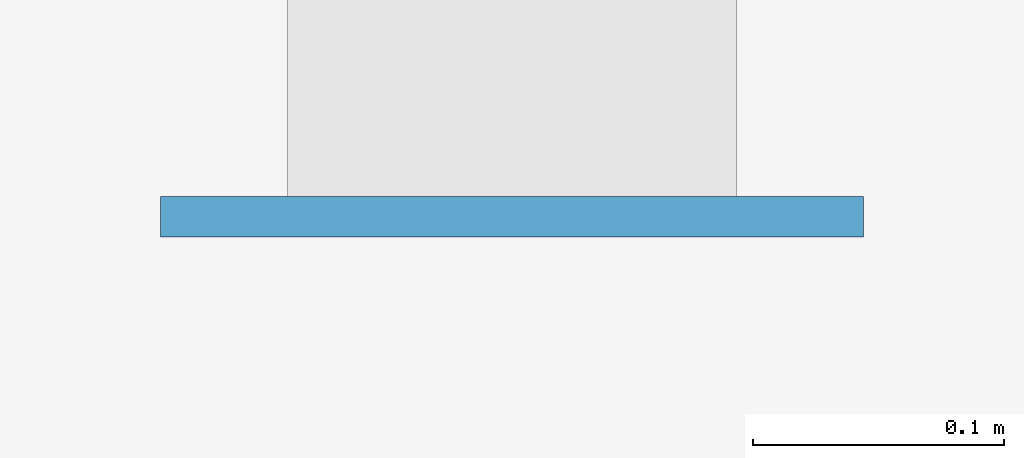
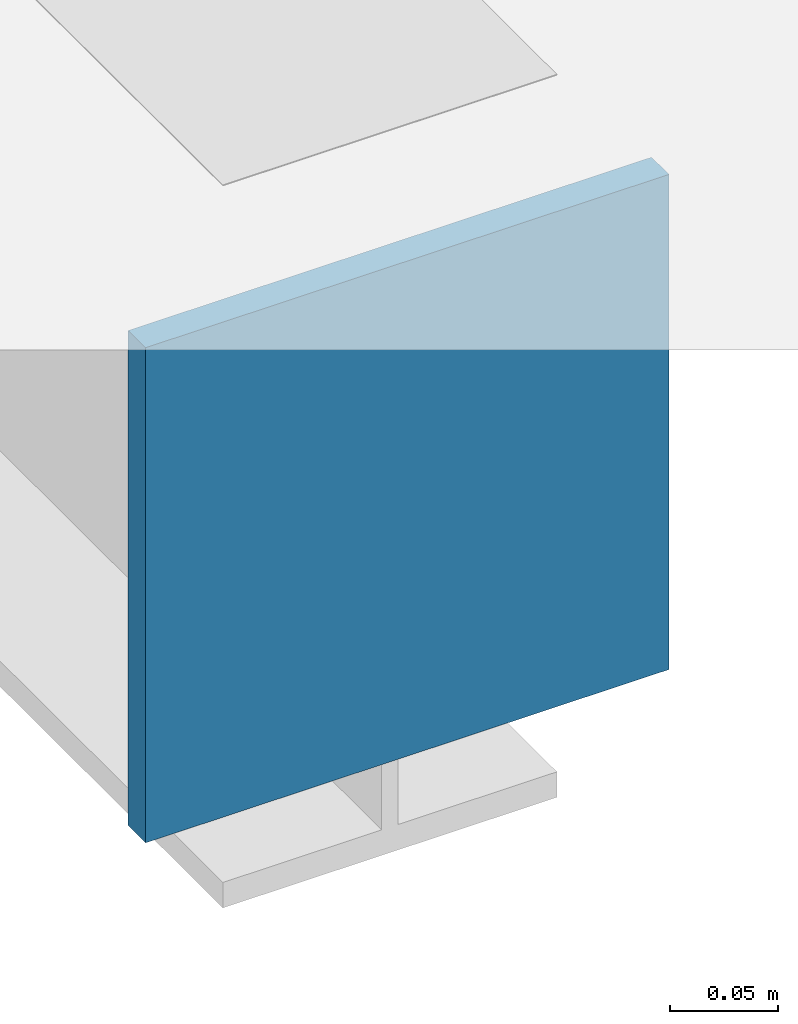
# One storey, part 4 of 6: 1 plate.
"""IFC4 building model written with IfcOpenShell, lengths in metres."""

import ifcopenshell
import ifcopenshell.guid

model = None  # the IFC model being written
_history = None  # IfcOwnerHistory: only IFC2X3 demands one
_inside = {}  # id of a spatial element -> (the spatial element, [elements in it])
_under = {}  # id of a project, library or spatial element -> (it, [spatial elements below it])
_declared = {}  # id of a project -> (the project, [libraries it declares])
_typed = {}  # id of a type object -> (the type object, [elements of that type])
_made_of = {}  # id of a material, layer set ... -> (it, [elements and type objects made of it])


def new_model(schema):
    """Start an empty IFC model of exactly this schema.

    Asked for "IFC4X3", IfcOpenShell would pick the latest addendum, in which some entities
    have other attributes; the version numbers below select the first issue.
    IFC2X3 requires an IfcOwnerHistory on every rooted entity: one is made here for all.
    """
    global model, _history
    if schema == "IFC4X3":
        model = ifcopenshell.file(schema_version=(4, 3, 0, 0))
    else:
        model = ifcopenshell.file(schema=schema)
    _inside.clear()
    _under.clear()
    _declared.clear()
    _typed.clear()
    _made_of.clear()
    _history = None
    if model.schema == "IFC2X3":
        org = make("IfcOrganization", Name="unknown")
        user = make(
            "IfcPersonAndOrganization",
            ThePerson=make("IfcPerson", FamilyName="unknown"),
            TheOrganization=org,
        )
        app = make(
            "IfcApplication",
            ApplicationDeveloper=org,
            Version="unknown",
            ApplicationFullName="unknown",
            ApplicationIdentifier="unknown",
        )
        _history = make(
            "IfcOwnerHistory",
            OwningUser=user,
            OwningApplication=app,
            ChangeAction="ADDED",
            CreationDate=0,
        )
    return model


def make(cls, **values):
    """One entity of the class cls with the attributes given. An attribute that is None is left unset."""
    return model.create_entity(
        cls, **{name: value for name, value in values.items() if value is not None}
    )


def rooted(cls, **values):
    """An entity with a GlobalId (a new one), such as an element, a storey or a relation."""
    return make(cls, GlobalId=ifcopenshell.guid.new(), OwnerHistory=_history, **values)


def si_unit(unit_type, name, prefix=None):
    """IfcSIUnit, for example si_unit("LENGTHUNIT", "METRE", prefix="MILLI")."""
    return make("IfcSIUnit", UnitType=unit_type, Prefix=prefix, Name=name)


def assignment(units):
    """IfcUnitAssignment: the units of a project."""
    return None if units is None else make("IfcUnitAssignment", Units=units)


def point(xyz):
    """IfcCartesianPoint."""
    return None if xyz is None else make("IfcCartesianPoint", Coordinates=xyz)


def direction(xyz):
    """IfcDirection."""
    return None if xyz is None else make("IfcDirection", DirectionRatios=xyz)


def frame(location, z_axis=None, x_axis=None):
    """IfcAxis2Placement3D, a coordinate frame: its origin and axes. An axis left out is left unset."""
    return make(
        "IfcAxis2Placement3D",
        Location=point(location),
        Axis=direction(z_axis),
        RefDirection=direction(x_axis),
    )


def frame_2d(location, x_axis=None):
    """IfcAxis2Placement2D, a coordinate frame in the plane: its origin and x axis."""
    return make(
        "IfcAxis2Placement2D", Location=point(location), RefDirection=direction(x_axis)
    )


def origin():
    """The frame at (0, 0, 0) with its axes left unset."""
    return frame((0.0, 0.0, 0.0))


def origin_2d():
    """The frame at (0, 0) in the plane with its x axis left unset."""
    return frame_2d((0.0, 0.0))


def place(relative_to, where):
    """IfcLocalPlacement: puts the frame where relative to a parent placement (None: the world)."""
    return make(
        "IfcLocalPlacement", PlacementRelTo=relative_to, RelativePlacement=where
    )


def context(
    kind, dimensions, precision=None, world=None, true_north=None, identifier=None
):
    """IfcGeometricRepresentationContext, for example the 3D "Model" context."""
    return make(
        "IfcGeometricRepresentationContext",
        ContextIdentifier=identifier,
        ContextType=kind,
        CoordinateSpaceDimension=dimensions,
        Precision=precision,
        WorldCoordinateSystem=world,
        TrueNorth=true_north,
    )


def subcontext(parent, identifier, kind, view, scale=None):
    """IfcGeometricRepresentationSubContext, for example "Body" below "Model"."""
    return make(
        "IfcGeometricRepresentationSubContext",
        ContextIdentifier=identifier,
        ContextType=kind,
        ParentContext=parent,
        TargetScale=scale,
        TargetView=view,
    )


def project(units=None, contexts=None):
    """IfcProject with its units and contexts."""
    return rooted(
        "IfcProject",
        Name="project",
        RepresentationContexts=contexts,
        UnitsInContext=assignment(units),
    )


def spatial(cls, under=None, at=None, **own):
    """A site, building, storey or space (cls), placed at a placement, below another one or the project."""
    s = rooted(cls, ObjectPlacement=at, **own)
    if under is not None:
        _under.setdefault(under.id(), (under, []))[1].append(s)
    return s


def profile(cls, at=None, kind="AREA", **sizes):
    """A parametric profile (cls). Its sizes go by their IFC names, for example OverallWidth=200.0."""
    return make(cls, ProfileType=kind, Position=at, **sizes)


def rectangle(**sizes):
    """IfcRectangleProfileDef."""
    return profile("IfcRectangleProfileDef", **sizes)


def extrude(swept, where, along, depth):
    """IfcExtrudedAreaSolid: the profile swept, set in the frame where, extruded along a direction by depth."""
    return make(
        "IfcExtrudedAreaSolid",
        SweptArea=swept,
        Position=where,
        ExtrudedDirection=direction(along),
        Depth=depth,
    )


def shape(context_of_items, identifier, shape_type, items):
    """IfcShapeRepresentation: the items that make up one representation, for example the "Body"."""
    return make(
        "IfcShapeRepresentation",
        ContextOfItems=context_of_items,
        RepresentationIdentifier=identifier,
        RepresentationType=shape_type,
        Items=items,
    )


def material(Name=None, Category=None):
    """IfcMaterial."""
    return make("IfcMaterial", Name=Name, Category=Category)


def layer(
    of_material, thickness, ventilated=None, Name=None, Category=None, Priority=None
):
    """IfcMaterialLayer: one layer of a wall or slab, of a material (None: an air gap)."""
    return make(
        "IfcMaterialLayer",
        Material=of_material,
        LayerThickness=thickness,
        IsVentilated=ventilated,
        Name=Name,
        Category=Category,
        Priority=Priority,
    )


def layer_set(layers, Name=None):
    """IfcMaterialLayerSet."""
    return make("IfcMaterialLayerSet", MaterialLayers=layers, LayerSetName=Name)


def made_of(thing, what):
    """Note that an element or type object is made of a material, layer set ...; save() writes the relation."""
    if what is not None:
        _made_of.setdefault(what.id(), (what, []))[1].append(thing)
    return thing


def type_object(cls, material=None, **own):
    """A type object (cls), such as IfcWallType, which elements share."""
    return made_of(rooted(cls, **own), material)


def element(
    cls,
    number,
    at=None,
    inside=None,
    cuts=None,
    type_object=None,
    material=None,
    context=None,
    identifier="Body",
    shape_type=None,
    held_by="IfcProductDefinitionShape",
    body=None,
    shapes=None,
    **own,
):
    """One element of the class cls, such as IfcWall. Its Tag is "e" and its number.

    at: its placement. inside: the storey or other place that contains it. cuts: it is an
    opening in that element (IfcRelVoidsElement). A single representation is given by context,
    identifier, shape_type and body (its items); several are given by shapes. held_by: the class
    of the entity that holds the representations. save() writes the other relations.
    """
    e = rooted(cls, Tag="e%d" % number, ObjectPlacement=at, **own)
    if body is not None:
        shapes = [shape(context, identifier, shape_type, body)]
    if shapes is not None:
        e.Representation = make(held_by, Representations=shapes)
    if inside is not None:
        _inside.setdefault(inside.id(), (inside, []))[1].append(e)
    if cuts is not None:
        rooted(
            "IfcRelVoidsElement", RelatingBuildingElement=cuts, RelatedOpeningElement=e
        )
    if type_object is not None:
        _typed.setdefault(type_object.id(), (type_object, []))[1].append(e)
    return made_of(e, material)


def aggregate(whole, parts):
    """IfcRelAggregates: a whole, such as a stair, and the parts it consists of."""
    return rooted("IfcRelAggregates", RelatingObject=whole, RelatedObjects=parts)


def save(model, path):
    """Write the relations noted so far, then the file.

    IfcRelAggregates (storeys below a building ...), IfcRelContainedInSpatialStructure (elements
    in a storey), IfcRelDefinesByType, IfcRelAssociatesMaterial and IfcRelDeclares: one each for
    every whole, place, type object, material and project.
    """
    for whole, parts in _under.values():
        aggregate(whole, parts)
    for where, things in _inside.values():
        rooted(
            "IfcRelContainedInSpatialStructure",
            RelatedElements=things,
            RelatingStructure=where,
        )
    for kind, things in _typed.values():
        rooted("IfcRelDefinesByType", RelatedObjects=things, RelatingType=kind)
    for what, things in _made_of.values():
        rooted("IfcRelAssociatesMaterial", RelatedObjects=things, RelatingMaterial=what)
    for by, libraries in _declared.values():
        rooted("IfcRelDeclares", RelatingContext=by, RelatedDefinitions=libraries)
    model.write(path)


model = new_model("IFC4")

# Units and contexts
model_context = context("Model", 3, precision=1e-05, world=origin(), true_north=direction((0.0, 1.0)))
body_context = subcontext(model_context, "Body", "Model", "MODEL_VIEW")
ifc_project = project(units=[si_unit("LENGTHUNIT", "METRE"), si_unit("AREAUNIT", "SQUARE_METRE"), si_unit("VOLUMEUNIT", "CUBIC_METRE"), si_unit("PLANEANGLEUNIT", "RADIAN"), si_unit("MASSUNIT", "GRAM", prefix="KILO")], contexts=[model_context])

# Site, building, storey
site_placement = place(None, origin())
site = spatial("IfcSite", under=ifc_project, at=site_placement, CompositionType="ELEMENT")
building_placement = place(site_placement, origin())
building = spatial("IfcBuilding", under=site, at=building_placement, Name="Ciguamira Faculty of Natural Sciences", CompositionType="ELEMENT")
storey_placement = place(building_placement, frame((0.0, 0.0, 50.39990234375)))
storey = spatial("IfcBuildingStorey", under=building, at=storey_placement, Name="Roof", CompositionType="ELEMENT", Elevation=50.39990234375)

# Plate
ifc_material = material(Name="Steel ASTM A572 Grade 50", Category="steel")
ifc_layer = layer(ifc_material, 0.01611328125, Name="Steel ASTM A572 Grade 50")
ifc_layer_set = layer_set([ifc_layer], Name="Steel ASTM A572 Grade 50")
plate_type = type_object("IfcPlateType", Name="GussetPlate_EP-01", PredefinedType="SHEET", material=ifc_layer_set)
plate_placement = place(storey_placement, frame((100.199951171875, 97.951904296875, -0.6044921875), z_axis=(0.0, 0.0, 1.0), x_axis=(1.0, 0.0, 0.0)))
element("IfcPlate", 1, at=plate_placement, inside=storey, type_object=plate_type, Name="Roof eave outrigger 009 core-wall cast-in plate", PredefinedType="SHEET", context=body_context, shape_type="SweptSolid", body=[
    extrude(rectangle(XDim=0.280029296875, YDim=0.01611328125, at=origin_2d()), origin(), (0.0, 0.0, 1.0), 0.280029296875),
])

save(model, "model.ifc")
